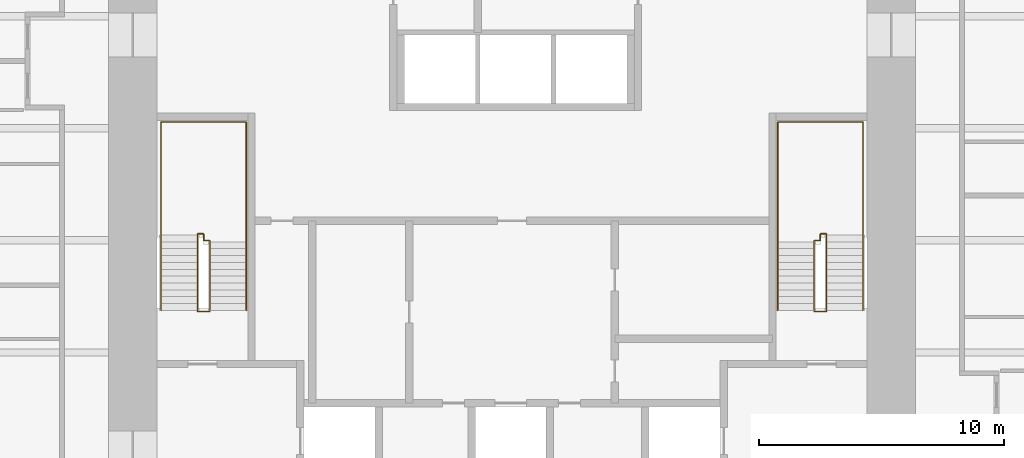
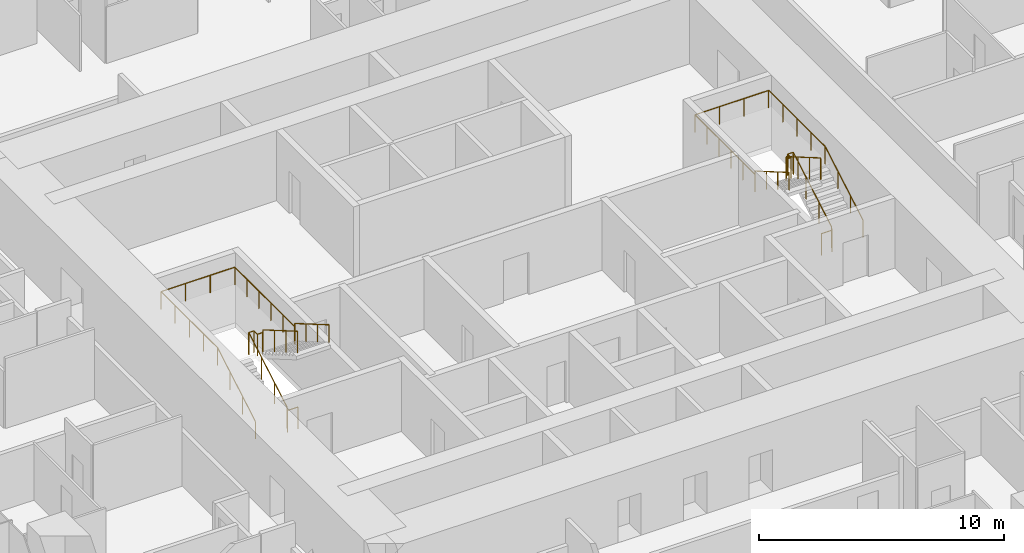
# One storey, part 13 of 13: 4 railings.
"""IFC4 building model written with IfcOpenShell, lengths in metres."""

from ifc_helpers import new_model, si_unit, direction, frame, origin, origin_2d, place, context, subcontext, project, spatial, circle, extrude, material, type_object, element, save


model = new_model("IFC4")

# Units and contexts
model_context = context("Model", 3, precision=1e-05, world=origin(), true_north=direction((0.0, 1.0)))
body_context = subcontext(model_context, "Body", "Model", "MODEL_VIEW")
ifc_project = project(units=[si_unit("LENGTHUNIT", "METRE"), si_unit("AREAUNIT", "SQUARE_METRE"), si_unit("VOLUMEUNIT", "CUBIC_METRE"), si_unit("PLANEANGLEUNIT", "RADIAN"), si_unit("MASSUNIT", "GRAM", prefix="KILO")], contexts=[model_context])

# Site, building, storey
site_placement = place(None, origin())
site = spatial("IfcSite", under=ifc_project, at=site_placement, CompositionType="ELEMENT")
building_placement = place(site_placement, origin())
building = spatial("IfcBuilding", under=site, at=building_placement, Name="Khuree Lantern Residences", CompositionType="ELEMENT")
storey_placement = place(building_placement, frame((0.0, 0.0, 159.75)))
storey = spatial("IfcBuildingStorey", under=building, at=storey_placement, Name="L40", CompositionType="ELEMENT", Elevation=159.75)

# Railings
ifc_material = material(Name="Steel S355", Category="steel")
railing_type_1 = type_object("IfcRailingType", Name="STAIR GUARD G1 1100", PredefinedType="GUARDRAIL", material=ifc_material)
railing_1_placement = place(storey_placement, frame((-12.35009765625, -2.909912109375, 0.0)))
element("IfcRailing", 1, at=railing_1_placement, inside=storey, type_object=railing_type_1, Name="Stair ST1 guard", PredefinedType="GUARDRAIL", context=body_context, shape_type="SweptSolid", body=[
    extrude(circle(Radius=0.02392578125, at=origin_2d()), frame((0.0, 0.0, 1.076171875), z_axis=(-1.0, 0.0, 0.0), x_axis=(0.0, -1.0, 0.0)), (0.0, 0.0, 1.0), 0.5),
    extrude(circle(Radius=0.02392578125, at=origin_2d()), frame((-0.5, 0.0, 1.076171875), z_axis=(0.0, 0.292073035251, 0.95639601739), x_axis=(-1.0, 0.0, 0.0)), (0.0, 0.0, 1.0), 0.17041015625),
    extrude(circle(Radius=0.02392578125, at=origin_2d()), frame((-0.5, 0.0498046875, 1.2392578125), z_axis=(0.0, 0.864176135923, 0.503189433615), x_axis=(-1.0, 0.0, 0.0)), (0.0, 0.0, 1.0), 3.564208984375),
    extrude(circle(Radius=0.02392578125, at=origin_2d()), frame((-0.5, 3.1298828125, 3.03271484375), z_axis=(0.0, 1.0, 0.0), x_axis=(-1.0, 0.0, 0.0)), (0.0, 0.0, 1.0), 0.050048828125),
    extrude(circle(Radius=0.02392578125, at=origin_2d()), frame((-0.5, 3.179931640625, 3.03271484375), z_axis=(1.0, 0.0, 0.0), x_axis=(0.0, 1.0, 0.0)), (0.0, 0.0, 1.0), 0.25),
    extrude(circle(Radius=0.02392578125, at=origin_2d()), frame((-0.25, 3.179931640625, 3.03271484375), z_axis=(0.0, -1.0, 0.0), x_axis=(1.0, 0.0, 0.0)), (0.0, 0.0, 1.0), 0.280029296875),
    extrude(circle(Radius=0.02392578125, at=origin_2d()), frame((-0.25, 2.89990234375, 3.03271484375), z_axis=(1.0, 0.0, 0.0), x_axis=(0.0, 1.0, 0.0)), (0.0, 0.0, 1.0), 0.25),
    extrude(circle(Radius=0.02392578125, at=origin_2d()), frame((0.0, 2.89990234375, 3.03271484375), z_axis=(0.0, -0.293381807449, 0.955995353053), x_axis=(1.0, 0.0, 0.0)), (0.0, 0.0, 1.0), 0.170654296875),
    extrude(circle(Radius=0.02392578125, at=origin_2d()), frame((0.0, 2.849853515625, 3.19580078125), z_axis=(0.0, -0.864180358799, 0.503182181189), x_axis=(1.0, 0.0, 0.0)), (0.0, 0.0, 1.0), 3.240234375),
    extrude(circle(Radius=0.02099609375, at=origin_2d()), origin(), (0.0, 0.0, 1.0), 1.052001953125),
    extrude(circle(Radius=0.02099609375, at=origin_2d()), frame((-0.5, 0.0, 0.0)), (0.0, 0.0, 1.0), 1.052001953125),
    extrude(circle(Radius=0.02099609375, at=origin_2d()), frame((-0.5, 0.0498046875, 0.1630859375)), (0.0, 0.0, 1.0), 1.052001953125),
    extrude(circle(Radius=0.02099609375, at=origin_2d()), frame((-0.5, 1.076416015625, 0.760986328125)), (0.0, 0.0, 1.0), 1.052001953125),
    extrude(circle(Radius=0.02099609375, at=origin_2d()), frame((-0.5, 2.103271484375, 1.358642578125)), (0.0, 0.0, 1.0), 1.052001953125),
    extrude(circle(Radius=0.02099609375, at=origin_2d()), frame((-0.5, 3.1298828125, 1.95654296875)), (0.0, 0.0, 1.0), 1.052001953125),
    extrude(circle(Radius=0.02099609375, at=origin_2d()), frame((-0.5, 3.179931640625, 1.95654296875)), (0.0, 0.0, 1.0), 1.052001953125),
    extrude(circle(Radius=0.02099609375, at=origin_2d()), frame((-0.25, 3.179931640625, 1.95654296875)), (0.0, 0.0, 1.0), 1.052001953125),
    extrude(circle(Radius=0.02099609375, at=origin_2d()), frame((-0.25, 2.89990234375, 1.95654296875)), (0.0, 0.0, 1.0), 1.052001953125),
    extrude(circle(Radius=0.02099609375, at=origin_2d()), frame((0.0, 2.89990234375, 1.95654296875)), (0.0, 0.0, 1.0), 1.052001953125),
    extrude(circle(Radius=0.02099609375, at=origin_2d()), frame((0.0, 2.849853515625, 2.11962890625)), (0.0, 0.0, 1.0), 1.052001953125),
    extrude(circle(Radius=0.02099609375, at=origin_2d()), frame((0.0, 1.91650390625, 2.6630859375)), (0.0, 0.0, 1.0), 1.052001953125),
    extrude(circle(Radius=0.02099609375, at=origin_2d()), frame((0.0, 0.983154296875, 3.20654296875)), (0.0, 0.0, 1.0), 1.052001953125),
    extrude(circle(Radius=0.02099609375, at=origin_2d()), frame((0.0, 0.0498046875, 3.75)), (0.0, 0.0, 1.0), 1.052001953125),
])
railing_2_placement = place(storey_placement, frame((12.35009765625, -2.909912109375, 0.0)))
element("IfcRailing", 2, at=railing_2_placement, inside=storey, type_object=railing_type_1, Name="Stair ST2 guard", PredefinedType="GUARDRAIL", context=body_context, shape_type="SweptSolid", body=[
    extrude(circle(Radius=0.02392578125, at=origin_2d()), frame((0.0, 0.0, 1.076171875), z_axis=(1.0, 0.0, 0.0), x_axis=(0.0, 1.0, 0.0)), (0.0, 0.0, 1.0), 0.5),
    extrude(circle(Radius=0.02392578125, at=origin_2d()), frame((0.5, 0.0, 1.076171875), z_axis=(0.0, 0.292073035251, 0.95639601739), x_axis=(-1.0, 0.0, 0.0)), (0.0, 0.0, 1.0), 0.17041015625),
    extrude(circle(Radius=0.02392578125, at=origin_2d()), frame((0.5, 0.0498046875, 1.2392578125), z_axis=(0.0, 0.864176135923, 0.503189433615), x_axis=(-1.0, 0.0, 0.0)), (0.0, 0.0, 1.0), 3.564208984375),
    extrude(circle(Radius=0.02392578125, at=origin_2d()), frame((0.5, 3.1298828125, 3.03271484375), z_axis=(0.0, 1.0, 0.0), x_axis=(-1.0, 0.0, 0.0)), (0.0, 0.0, 1.0), 0.050048828125),
    extrude(circle(Radius=0.02392578125, at=origin_2d()), frame((0.5, 3.179931640625, 3.03271484375), z_axis=(-1.0, 0.0, 0.0), x_axis=(0.0, -1.0, 0.0)), (0.0, 0.0, 1.0), 0.25),
    extrude(circle(Radius=0.02392578125, at=origin_2d()), frame((0.25, 3.179931640625, 3.03271484375), z_axis=(0.0, -1.0, 0.0), x_axis=(1.0, 0.0, 0.0)), (0.0, 0.0, 1.0), 0.280029296875),
    extrude(circle(Radius=0.02392578125, at=origin_2d()), frame((0.25, 2.89990234375, 3.03271484375), z_axis=(-1.0, 0.0, 0.0), x_axis=(0.0, -1.0, 0.0)), (0.0, 0.0, 1.0), 0.25),
    extrude(circle(Radius=0.02392578125, at=origin_2d()), frame((0.0, 2.89990234375, 3.03271484375), z_axis=(0.0, -0.293381807449, 0.955995353053), x_axis=(1.0, 0.0, 0.0)), (0.0, 0.0, 1.0), 0.170654296875),
    extrude(circle(Radius=0.02392578125, at=origin_2d()), frame((0.0, 2.849853515625, 3.19580078125), z_axis=(0.0, -0.864180358799, 0.503182181189), x_axis=(1.0, 0.0, 0.0)), (0.0, 0.0, 1.0), 3.240234375),
    extrude(circle(Radius=0.02099609375, at=origin_2d()), origin(), (0.0, 0.0, 1.0), 1.052001953125),
    extrude(circle(Radius=0.02099609375, at=origin_2d()), frame((0.5, 0.0, 0.0)), (0.0, 0.0, 1.0), 1.052001953125),
    extrude(circle(Radius=0.02099609375, at=origin_2d()), frame((0.5, 0.0498046875, 0.1630859375)), (0.0, 0.0, 1.0), 1.052001953125),
    extrude(circle(Radius=0.02099609375, at=origin_2d()), frame((0.5, 1.076416015625, 0.760986328125)), (0.0, 0.0, 1.0), 1.052001953125),
    extrude(circle(Radius=0.02099609375, at=origin_2d()), frame((0.5, 2.103271484375, 1.358642578125)), (0.0, 0.0, 1.0), 1.052001953125),
    extrude(circle(Radius=0.02099609375, at=origin_2d()), frame((0.5, 3.1298828125, 1.95654296875)), (0.0, 0.0, 1.0), 1.052001953125),
    extrude(circle(Radius=0.02099609375, at=origin_2d()), frame((0.5, 3.179931640625, 1.95654296875)), (0.0, 0.0, 1.0), 1.052001953125),
    extrude(circle(Radius=0.02099609375, at=origin_2d()), frame((0.25, 3.179931640625, 1.95654296875)), (0.0, 0.0, 1.0), 1.052001953125),
    extrude(circle(Radius=0.02099609375, at=origin_2d()), frame((0.25, 2.89990234375, 1.95654296875)), (0.0, 0.0, 1.0), 1.052001953125),
    extrude(circle(Radius=0.02099609375, at=origin_2d()), frame((0.0, 2.89990234375, 1.95654296875)), (0.0, 0.0, 1.0), 1.052001953125),
    extrude(circle(Radius=0.02099609375, at=origin_2d()), frame((0.0, 2.849853515625, 2.11962890625)), (0.0, 0.0, 1.0), 1.052001953125),
    extrude(circle(Radius=0.02099609375, at=origin_2d()), frame((0.0, 1.91650390625, 2.6630859375)), (0.0, 0.0, 1.0), 1.052001953125),
    extrude(circle(Radius=0.02099609375, at=origin_2d()), frame((0.0, 0.983154296875, 3.20654296875)), (0.0, 0.0, 1.0), 1.052001953125),
    extrude(circle(Radius=0.02099609375, at=origin_2d()), frame((0.0, 0.0498046875, 3.75)), (0.0, 0.0, 1.0), 1.052001953125),
])
railing_type_2 = type_object("IfcRailingType", Name="STAIR HANDRAIL H1 900", PredefinedType="HANDRAIL", material=ifc_material)
railing_3_placement = place(storey_placement, frame((-14.340087890625, -2.860107421875, 0.1630859375)))
element("IfcRailing", 3, at=railing_3_placement, inside=storey, type_object=railing_type_2, Name="Stair ST1 handrail", PredefinedType="HANDRAIL", context=body_context, shape_type="SweptSolid", body=[
    extrude(circle(Radius=0.02392578125, at=origin_2d()), frame((0.0, 0.0, 0.8759765625), z_axis=(0.0, 0.864176135923, 0.503189433615), x_axis=(-1.0, 0.0, 0.0)), (0.0, 0.0, 1.0), 3.564208984375),
    extrude(circle(Radius=0.02392578125, at=origin_2d()), frame((0.0, 3.080078125, 2.66943359375), z_axis=(0.0, 1.0, 0.0), x_axis=(-1.0, 0.0, 0.0)), (0.0, 0.0, 1.0), 4.6201171875),
    extrude(circle(Radius=0.02392578125, at=origin_2d()), frame((0.0, 7.7001953125, 2.66943359375), z_axis=(1.0, 0.0, 0.0), x_axis=(0.0, 1.0, 0.0)), (0.0, 0.0, 1.0), 3.47998046875),
    extrude(circle(Radius=0.02392578125, at=origin_2d()), frame((3.47998046875, 7.7001953125, 2.66943359375), z_axis=(0.0, -1.0, 0.0), x_axis=(1.0, 0.0, 0.0)), (0.0, 0.0, 1.0), 4.900146484375),
    extrude(circle(Radius=0.02392578125, at=origin_2d()), frame((3.47998046875, 2.800048828125, 2.66943359375), z_axis=(0.0, 0.0, 1.0), x_axis=(1.0, 0.0, 0.0)), (0.0, 0.0, 1.0), 0.1630859375),
    extrude(circle(Radius=0.02392578125, at=origin_2d()), frame((3.47998046875, 2.800048828125, 2.83251953125), z_axis=(0.0, -0.864180358799, 0.503182181189), x_axis=(1.0, 0.0, 0.0)), (0.0, 0.0, 1.0), 3.240234375),
    extrude(circle(Radius=0.02099609375, at=origin_2d()), origin(), (0.0, 0.0, 1.0), 0.851806640625),
    extrude(circle(Radius=0.02099609375, at=origin_2d()), frame((0.0, 1.026611328125, 0.597900390625)), (0.0, 0.0, 1.0), 0.851806640625),
    extrude(circle(Radius=0.02099609375, at=origin_2d()), frame((0.0, 2.053466796875, 1.195556640625)), (0.0, 0.0, 1.0), 0.851806640625),
    extrude(circle(Radius=0.02099609375, at=origin_2d()), frame((0.0, 3.080078125, 1.79345703125)), (0.0, 0.0, 1.0), 0.851806640625),
    extrude(circle(Radius=0.02099609375, at=origin_2d()), frame((0.0, 4.235107421875, 1.79345703125)), (0.0, 0.0, 1.0), 0.851806640625),
    extrude(circle(Radius=0.02099609375, at=origin_2d()), frame((0.0, 5.39013671875, 1.79345703125)), (0.0, 0.0, 1.0), 0.851806640625),
    extrude(circle(Radius=0.02099609375, at=origin_2d()), frame((0.0, 6.545166015625, 1.79345703125)), (0.0, 0.0, 1.0), 0.851806640625),
    extrude(circle(Radius=0.02099609375, at=origin_2d()), frame((0.0, 7.7001953125, 1.79345703125)), (0.0, 0.0, 1.0), 0.851806640625),
    extrude(circle(Radius=0.02099609375, at=origin_2d()), frame((1.159912109375, 7.7001953125, 1.79345703125)), (0.0, 0.0, 1.0), 0.851806640625),
    extrude(circle(Radius=0.02099609375, at=origin_2d()), frame((2.320068359375, 7.7001953125, 1.79345703125)), (0.0, 0.0, 1.0), 0.851806640625),
    extrude(circle(Radius=0.02099609375, at=origin_2d()), frame((3.47998046875, 7.7001953125, 1.79345703125)), (0.0, 0.0, 1.0), 0.851806640625),
    extrude(circle(Radius=0.02099609375, at=origin_2d()), frame((3.47998046875, 6.72021484375, 1.79345703125)), (0.0, 0.0, 1.0), 0.851806640625),
    extrude(circle(Radius=0.02099609375, at=origin_2d()), frame((3.47998046875, 5.740234375, 1.79345703125)), (0.0, 0.0, 1.0), 0.851806640625),
    extrude(circle(Radius=0.02099609375, at=origin_2d()), frame((3.47998046875, 4.760009765625, 1.79345703125)), (0.0, 0.0, 1.0), 0.851806640625),
    extrude(circle(Radius=0.02099609375, at=origin_2d()), frame((3.47998046875, 3.780029296875, 1.79345703125)), (0.0, 0.0, 1.0), 0.851806640625),
    extrude(circle(Radius=0.02099609375, at=origin_2d()), frame((3.47998046875, 2.800048828125, 1.79345703125)), (0.0, 0.0, 1.0), 0.851806640625),
    extrude(circle(Radius=0.02099609375, at=origin_2d()), frame((3.47998046875, 2.800048828125, 1.95654296875)), (0.0, 0.0, 1.0), 0.851806640625),
    extrude(circle(Radius=0.02099609375, at=origin_2d()), frame((3.47998046875, 1.86669921875, 2.5)), (0.0, 0.0, 1.0), 0.851806640625),
    extrude(circle(Radius=0.02099609375, at=origin_2d()), frame((3.47998046875, 0.933349609375, 3.04345703125)), (0.0, 0.0, 1.0), 0.851806640625),
    extrude(circle(Radius=0.02099609375, at=origin_2d()), frame((3.47998046875, 0.0, 3.5869140625)), (0.0, 0.0, 1.0), 0.851806640625),
])
railing_4_placement = place(storey_placement, frame((14.340087890625, -2.860107421875, 0.1630859375)))
element("IfcRailing", 4, at=railing_4_placement, inside=storey, type_object=railing_type_2, Name="Stair ST2 handrail", PredefinedType="HANDRAIL", context=body_context, shape_type="SweptSolid", body=[
    extrude(circle(Radius=0.02392578125, at=origin_2d()), frame((0.0, 0.0, 0.8759765625), z_axis=(0.0, 0.864176135923, 0.503189433615), x_axis=(-1.0, 0.0, 0.0)), (0.0, 0.0, 1.0), 3.564208984375),
    extrude(circle(Radius=0.02392578125, at=origin_2d()), frame((0.0, 3.080078125, 2.66943359375), z_axis=(0.0, 1.0, 0.0), x_axis=(-1.0, 0.0, 0.0)), (0.0, 0.0, 1.0), 4.6201171875),
    extrude(circle(Radius=0.02392578125, at=origin_2d()), frame((0.0, 7.7001953125, 2.66943359375), z_axis=(-1.0, 0.0, 0.0), x_axis=(0.0, -1.0, 0.0)), (0.0, 0.0, 1.0), 3.47998046875),
    extrude(circle(Radius=0.02392578125, at=origin_2d()), frame((-3.47998046875, 7.7001953125, 2.66943359375), z_axis=(0.0, -1.0, 0.0), x_axis=(1.0, 0.0, 0.0)), (0.0, 0.0, 1.0), 4.900146484375),
    extrude(circle(Radius=0.02392578125, at=origin_2d()), frame((-3.47998046875, 2.800048828125, 2.66943359375), z_axis=(0.0, 0.0, 1.0), x_axis=(1.0, 0.0, 0.0)), (0.0, 0.0, 1.0), 0.1630859375),
    extrude(circle(Radius=0.02392578125, at=origin_2d()), frame((-3.47998046875, 2.800048828125, 2.83251953125), z_axis=(0.0, -0.864180358799, 0.503182181189), x_axis=(1.0, 0.0, 0.0)), (0.0, 0.0, 1.0), 3.240234375),
    extrude(circle(Radius=0.02099609375, at=origin_2d()), origin(), (0.0, 0.0, 1.0), 0.851806640625),
    extrude(circle(Radius=0.02099609375, at=origin_2d()), frame((0.0, 1.026611328125, 0.597900390625)), (0.0, 0.0, 1.0), 0.851806640625),
    extrude(circle(Radius=0.02099609375, at=origin_2d()), frame((0.0, 2.053466796875, 1.195556640625)), (0.0, 0.0, 1.0), 0.851806640625),
    extrude(circle(Radius=0.02099609375, at=origin_2d()), frame((0.0, 3.080078125, 1.79345703125)), (0.0, 0.0, 1.0), 0.851806640625),
    extrude(circle(Radius=0.02099609375, at=origin_2d()), frame((0.0, 4.235107421875, 1.79345703125)), (0.0, 0.0, 1.0), 0.851806640625),
    extrude(circle(Radius=0.02099609375, at=origin_2d()), frame((0.0, 5.39013671875, 1.79345703125)), (0.0, 0.0, 1.0), 0.851806640625),
    extrude(circle(Radius=0.02099609375, at=origin_2d()), frame((0.0, 6.545166015625, 1.79345703125)), (0.0, 0.0, 1.0), 0.851806640625),
    extrude(circle(Radius=0.02099609375, at=origin_2d()), frame((0.0, 7.7001953125, 1.79345703125)), (0.0, 0.0, 1.0), 0.851806640625),
    extrude(circle(Radius=0.02099609375, at=origin_2d()), frame((-1.159912109375, 7.7001953125, 1.79345703125)), (0.0, 0.0, 1.0), 0.851806640625),
    extrude(circle(Radius=0.02099609375, at=origin_2d()), frame((-2.320068359375, 7.7001953125, 1.79345703125)), (0.0, 0.0, 1.0), 0.851806640625),
    extrude(circle(Radius=0.02099609375, at=origin_2d()), frame((-3.47998046875, 7.7001953125, 1.79345703125)), (0.0, 0.0, 1.0), 0.851806640625),
    extrude(circle(Radius=0.02099609375, at=origin_2d()), frame((-3.47998046875, 6.72021484375, 1.79345703125)), (0.0, 0.0, 1.0), 0.851806640625),
    extrude(circle(Radius=0.02099609375, at=origin_2d()), frame((-3.47998046875, 5.740234375, 1.79345703125)), (0.0, 0.0, 1.0), 0.851806640625),
    extrude(circle(Radius=0.02099609375, at=origin_2d()), frame((-3.47998046875, 4.760009765625, 1.79345703125)), (0.0, 0.0, 1.0), 0.851806640625),
    extrude(circle(Radius=0.02099609375, at=origin_2d()), frame((-3.47998046875, 3.780029296875, 1.79345703125)), (0.0, 0.0, 1.0), 0.851806640625),
    extrude(circle(Radius=0.02099609375, at=origin_2d()), frame((-3.47998046875, 2.800048828125, 1.79345703125)), (0.0, 0.0, 1.0), 0.851806640625),
    extrude(circle(Radius=0.02099609375, at=origin_2d()), frame((-3.47998046875, 2.800048828125, 1.95654296875)), (0.0, 0.0, 1.0), 0.851806640625),
    extrude(circle(Radius=0.02099609375, at=origin_2d()), frame((-3.47998046875, 1.86669921875, 2.5)), (0.0, 0.0, 1.0), 0.851806640625),
    extrude(circle(Radius=0.02099609375, at=origin_2d()), frame((-3.47998046875, 0.933349609375, 3.04345703125)), (0.0, 0.0, 1.0), 0.851806640625),
    extrude(circle(Radius=0.02099609375, at=origin_2d()), frame((-3.47998046875, 0.0, 3.5869140625)), (0.0, 0.0, 1.0), 0.851806640625),
])

save(model, "model.ifc")
